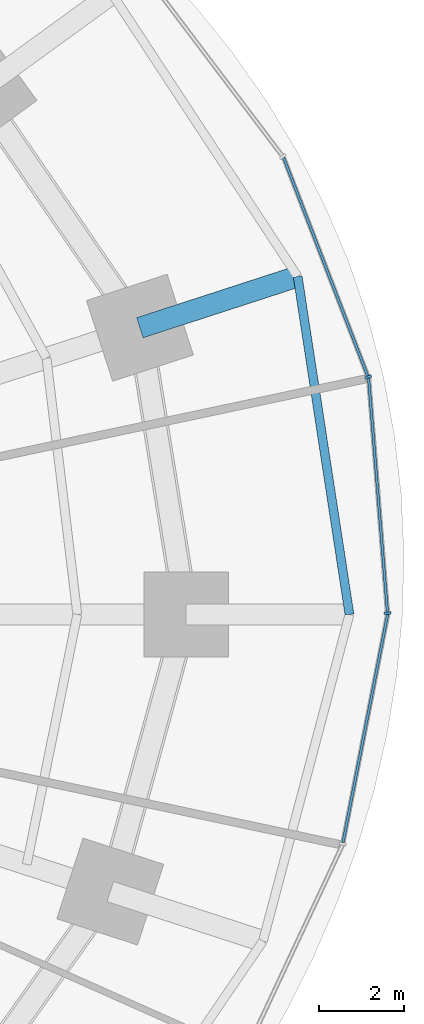
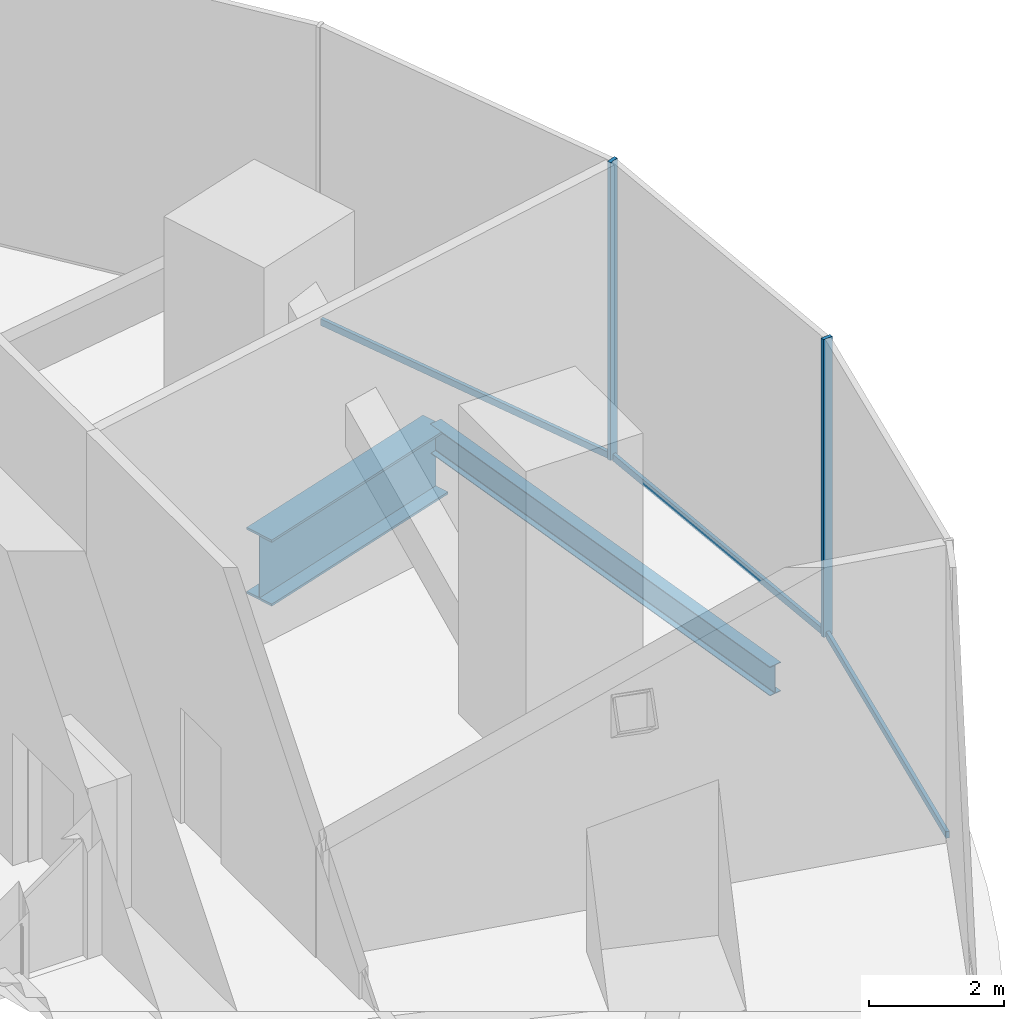
# One storey, part 6 of 13: 5 members, 2 beams, 2 elements without a shape of their own.
"""IFC4 building model written with IfcOpenShell, lengths in metres."""

from ifc_helpers import new_model, si_unit, direction, frame, origin, origin_2d, place, context, subcontext, project, spatial, rectangle, i_section, extrude, material, material_profile, profile_set, type_object, element, aggregate, save


model = new_model("IFC4")

# Units and contexts
model_context = context("Model", 3, precision=1e-05, world=origin(), true_north=direction((0.0, 1.0)))
body_context = subcontext(model_context, "Body", "Model", "MODEL_VIEW")
ifc_project = project(units=[si_unit("LENGTHUNIT", "METRE"), si_unit("AREAUNIT", "SQUARE_METRE"), si_unit("VOLUMEUNIT", "CUBIC_METRE"), si_unit("PLANEANGLEUNIT", "RADIAN"), si_unit("MASSUNIT", "GRAM", prefix="KILO")], contexts=[model_context])

# Site, building, storey
site_placement = place(None, origin())
site = spatial("IfcSite", under=ifc_project, at=site_placement, CompositionType="ELEMENT")
building_placement = place(site_placement, origin())
building = spatial("IfcBuilding", under=site, at=building_placement, Name="Marramba Exchange Tower", CompositionType="ELEMENT")
storey_placement = place(building_placement, frame((0.0, 0.0, 86.800048828125)))
storey = spatial("IfcBuildingStorey", under=building, at=storey_placement, Name="L20", CompositionType="ELEMENT", Elevation=86.800048828125)

# Beam
ifc_material_1 = material(Name="Steel AS/NZS 3679.2 grade 300", Category="steel")
ifc_material_profile_1 = material_profile(ifc_material_1, i_section(OverallWidth=0.5, OverallDepth=1.199951171875, WebThickness=0.01611328125, FlangeThickness=0.0400390625, at=origin_2d()), Name="1200WB455")
ifc_profile_set_1 = profile_set([ifc_material_profile_1], Name="Steel AS/NZS 3679.2 grade 300")
beam_type_1 = type_object("IfcBeamType", Name="Cantilever girder 1200WB455", PredefinedType="BEAM", material=ifc_profile_set_1)
beam_1_placement = place(storey_placement, frame((20.808349609375, 6.760986328125, -0.800048828125), z_axis=(0.951058833549, 0.309009862508, 0.0), x_axis=(-0.309009862508, 0.951058833549, 0.0)))
element("IfcBeam", 1, at=beam_1_placement, inside=storey, type_object=beam_type_1, Name="Cantilever girder L20 TC02", PredefinedType="BEAM", context=body_context, shape_type="SweptSolid", body=[
    extrude(i_section(OverallWidth=0.5, OverallDepth=1.199951171875, WebThickness=0.01611328125, FlangeThickness=0.0400390625, at=origin_2d()), origin(), (0.0, 0.0, 1.0), 3.91162109375),
])

# Curtain wall, members
ifc_material_2 = material(Name="Aluminium framing, bronze anodised", Category="aluminium")
curtain_wall_type = type_object("IfcCurtainWallType", Name="Plant floor louvred curtain wall", PredefinedType="USERDEFINED", material=ifc_material_2)
curtain_wall_1_placement = place(storey_placement, origin())
curtain_wall_1 = element("IfcCurtainWall", 2, at=curtain_wall_1_placement, inside=storey, type_object=curtain_wall_type, Name="Curtain wall CW6 L20 F01-F05", ObjectType="RIBBON CURTAIN WALL", PredefinedType="USERDEFINED")
ifc_material_3 = material(Name="Aluminium mullion, bronze anodised", Category="aluminium")
ifc_material_profile_2 = material_profile(ifc_material_3, rectangle(XDim=0.159912109375, YDim=0.06005859375, at=origin_2d()), Name="CW6 mullion 60x160")
ifc_profile_set_2 = profile_set([ifc_material_profile_2], Name="Aluminium mullion, bronze anodised")
member_type_1 = type_object("IfcMemberType", Name="Plant floor louvred curtain wall mullion", PredefinedType="MULLION", material=ifc_profile_set_2)
member_1_placement = place(storey_placement, frame((26.647705078125, 0.02978515625, 0.0), z_axis=(0.0, 0.0, 1.0), x_axis=(-0.996772736434, -0.080275225953, 0.0)))
member_1 = element("IfcMember", 3, at=member_1_placement, type_object=member_type_1, Name="CW6 mullion 1", PredefinedType="MULLION", context=body_context, shape_type="SweptSolid", body=[
    extrude(rectangle(XDim=0.159912109375, YDim=0.06005859375, at=origin_2d()), origin(), (0.0, 0.0, 1.0), 5.39990234375),
])
member_2_placement = place(storey_placement, frame((26.190673828125, 5.597412109375, 0.0), z_axis=(0.0, 0.0, 1.0), x_axis=(-0.933135256626, -0.359525510698, 0.0)))
member_2 = element("IfcMember", 4, at=member_2_placement, type_object=member_type_1, Name="CW6 mullion 1", PredefinedType="MULLION", context=body_context, shape_type="SweptSolid", body=[
    extrude(rectangle(XDim=0.159912109375, YDim=0.06005859375, at=origin_2d()), origin(), (0.0, 0.0, 1.0), 5.39990234375),
])
ifc_material_4 = material(Name="Aluminium transom, bronze anodised", Category="aluminium")
ifc_material_profile_3 = material_profile(ifc_material_4, rectangle(XDim=0.06005859375, YDim=0.1201171875, at=origin_2d()), Name="CW6 transom 60x120")
ifc_profile_set_3 = profile_set([ifc_material_profile_3], Name="Aluminium transom, bronze anodised")
member_type_2 = type_object("IfcMemberType", Name="Plant floor louvred curtain wall transom", PredefinedType="USERDEFINED", material=ifc_profile_set_3)
member_3_placement = place(storey_placement, frame((26.645263671875, 0.059814453125, 0.030029296875), z_axis=(-0.080299960686, 0.99677074411, 0.0), x_axis=(-0.99677074411, -0.080299960686, 0.0)))
member_3 = element("IfcMember", 5, at=member_3_placement, type_object=member_type_2, Name="CW6 sill transom", ObjectType="TRANSOM", PredefinedType="USERDEFINED", context=body_context, shape_type="SweptSolid", body=[
    extrude(rectangle(XDim=0.06005859375, YDim=0.1201171875, at=origin_2d()), origin(), (0.0, 0.0, 1.0), 5.52734375),
])
member_4_placement = place(storey_placement, frame((26.179931640625, 5.625244140625, 0.030029296875), z_axis=(-0.359533581349, 0.933132147063, 0.0), x_axis=(-0.933132147063, -0.359533581349, 0.0)))
member_4 = element("IfcMember", 6, at=member_4_placement, type_object=member_type_2, Name="CW6 sill transom", ObjectType="TRANSOM", PredefinedType="USERDEFINED", context=body_context, shape_type="SweptSolid", body=[
    extrude(rectangle(XDim=0.06005859375, YDim=0.1201171875, at=origin_2d()), origin(), (0.0, 0.0, 1.0), 5.5166015625),
])
aggregate(curtain_wall_1, [member_1, member_3, member_2, member_4])

# Curtain wall, member
curtain_wall_2_placement = place(storey_placement, origin())
curtain_wall_2 = element("IfcCurtainWall", 7, at=curtain_wall_2_placement, inside=storey, type_object=curtain_wall_type, Name="Curtain wall CW6 L20 F26-F30", ObjectType="RIBBON CURTAIN WALL", PredefinedType="USERDEFINED")
member_5_placement = place(storey_placement, frame((25.59619140625, -5.37939453125, 0.030029296875), z_axis=(0.192226081646, 0.981350667975, 0.0), x_axis=(-0.981350667975, 0.192226081646, 0.0)))
member_5 = element("IfcMember", 8, at=member_5_placement, type_object=member_type_2, Name="CW6 sill transom", ObjectType="TRANSOM", PredefinedType="USERDEFINED", context=body_context, shape_type="SweptSolid", body=[
    extrude(rectangle(XDim=0.06005859375, YDim=0.1201171875, at=origin_2d()), origin(), (0.0, 0.0, 1.0), 5.481689453125),
])
aggregate(curtain_wall_2, [member_5])

# Beam
ifc_material_5 = material(Name="Steel AS/NZS 3679.1 grade 300", Category="steel")
ifc_material_profile_4 = material_profile(ifc_material_5, i_section(OverallWidth=0.208984375, OverallDepth=0.528076171875, WebThickness=0.009521484375, FlangeThickness=0.01318359375, FilletRadius=0.013916015625, at=origin_2d()), Name="530UB82.0")
ifc_profile_set_4 = profile_set([ifc_material_profile_4], Name="Steel AS/NZS 3679.1 grade 300")
beam_type_2 = type_object("IfcBeamType", Name="Slab edge beam 530UB82.0", PredefinedType="SPANDREL", material=ifc_profile_set_4)
beam_2_placement = place(storey_placement, frame((25.75, 0.0, -0.464111328125), z_axis=(-0.151490591645, 0.988458699513, 0.0), x_axis=(-0.988458699513, -0.151490591645, 0.0)))
element("IfcBeam", 9, at=beam_2_placement, inside=storey, type_object=beam_type_2, Name="Slab edge beam L20 TC01-TC02", PredefinedType="SPANDREL", context=body_context, shape_type="SweptSolid", body=[
    extrude(i_section(OverallWidth=0.208984375, OverallDepth=0.528076171875, WebThickness=0.009521484375, FlangeThickness=0.01318359375, FilletRadius=0.013916015625, at=origin_2d()), origin(), (0.0, 0.0, 1.0), 8.062744140625),
])

save(model, "model.ifc")
